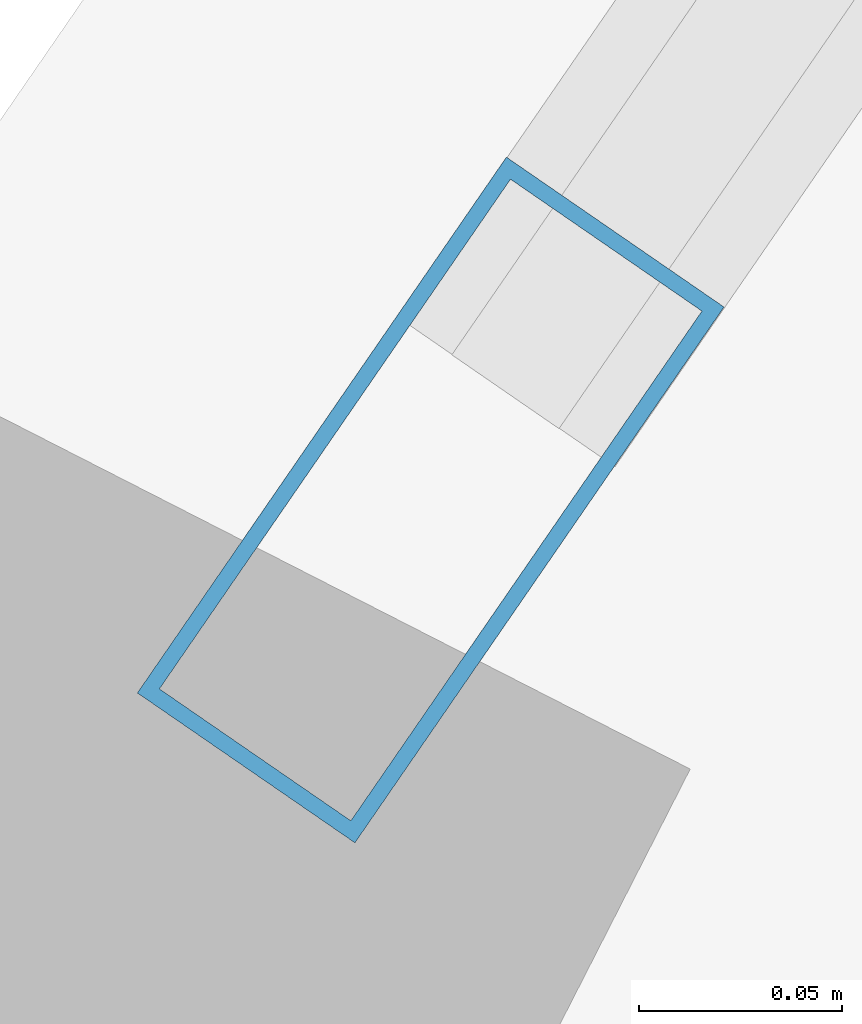
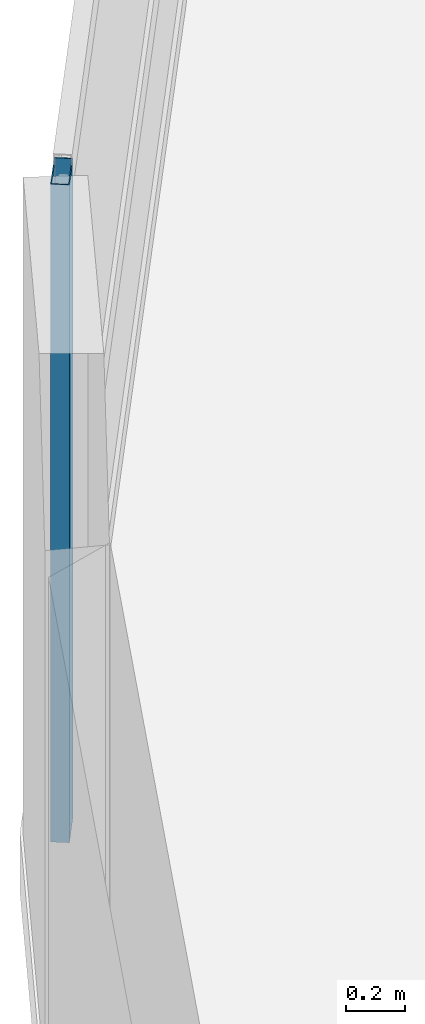
# One storey, part 2 of 26: 1 member, 1 element without a shape of its own.
"""IFC4 building model written with IfcOpenShell, lengths in metres."""

from ifc_helpers import new_model, si_unit, direction, frame, origin, origin_2d, place, context, subcontext, project, spatial, hollow_rectangle, extrude, material, layer, layer_set, material_profile, profile_set, type_object, element, aggregate, save


model = new_model("IFC4")

# Units and contexts
model_context = context("Model", 3, precision=1e-05, world=origin(), true_north=direction((0.0, 1.0)))
body_context = subcontext(model_context, "Body", "Model", "MODEL_VIEW")
ifc_project = project(units=[si_unit("LENGTHUNIT", "METRE"), si_unit("AREAUNIT", "SQUARE_METRE"), si_unit("VOLUMEUNIT", "CUBIC_METRE"), si_unit("PLANEANGLEUNIT", "RADIAN"), si_unit("MASSUNIT", "GRAM", prefix="KILO")], contexts=[model_context])

# Site, building, storey
site_placement = place(None, origin())
site = spatial("IfcSite", under=ifc_project, at=site_placement, CompositionType="ELEMENT")
building_placement = place(site_placement, origin())
building = spatial("IfcBuilding", under=site, at=building_placement, Name="Varnelok Gate Tower", CompositionType="ELEMENT")
storey_placement = place(building_placement, frame((0.0, 0.0, 27.0)))
storey = spatial("IfcBuildingStorey", under=building, at=storey_placement, Name="L05", CompositionType="ELEMENT", Elevation=27.0)

# Curtain wall, member
ifc_material = material(Name="Anodized Aluminum Alloy 6063-T6", Category="aluminium")
ifc_layer = layer(ifc_material, 0.179931640625)
ifc_layer_set = layer_set([ifc_layer], Name="Anodized Aluminum Alloy 6063-T6")
curtain_wall_type = type_object("IfcCurtainWallType", Name="CW3-HOTEL-VISION", PredefinedType="USERDEFINED", material=ifc_layer_set)
curtain_wall_placement = place(storey_placement, origin())
curtain_wall = element("IfcCurtainWall", 1, at=curtain_wall_placement, inside=storey, type_object=curtain_wall_type, Name="L05 West End Vision Curtain Wall", ObjectType="UNITISED CURTAIN WALL", PredefinedType="USERDEFINED")
ifc_material_profile = material_profile(ifc_material, hollow_rectangle(XDim=0.06494140625, YDim=0.159912109375, WallThickness=0.00390625, at=origin_2d()), Name="ALU160X65X4")
ifc_profile_set = profile_set([ifc_material_profile], Name="Anodized Aluminum Alloy 6063-T6")
member_type = type_object("IfcMemberType", Name="CW-MULL-160", PredefinedType="MULLION", material=ifc_profile_set)
member_placement = place(storey_placement, frame((-4.1240234375, 31.2607421875, 0.0), z_axis=(0.0, 0.0, 1.0), x_axis=(-0.823532685111, 0.567268822124, 0.0)))
member = element("IfcMember", 2, at=member_placement, type_object=member_type, Name="CW3 mullion 1", PredefinedType="MULLION", context=body_context, shape_type="SweptSolid", body=[
    extrude(hollow_rectangle(XDim=0.06494140625, YDim=0.159912109375, WallThickness=0.00390625, at=origin_2d()), origin(), (0.0, 0.0, 1.0), 2.72998046875),
])
aggregate(curtain_wall, [member])

save(model, "model.ifc")
